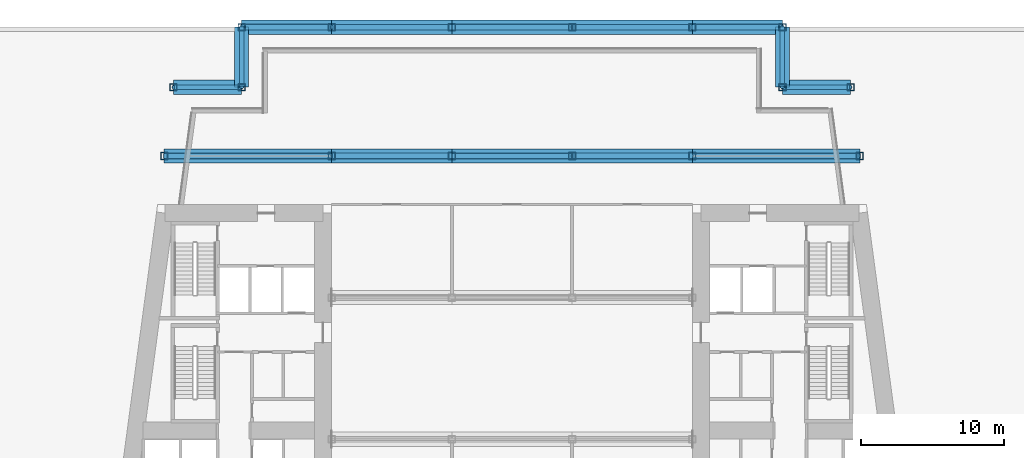
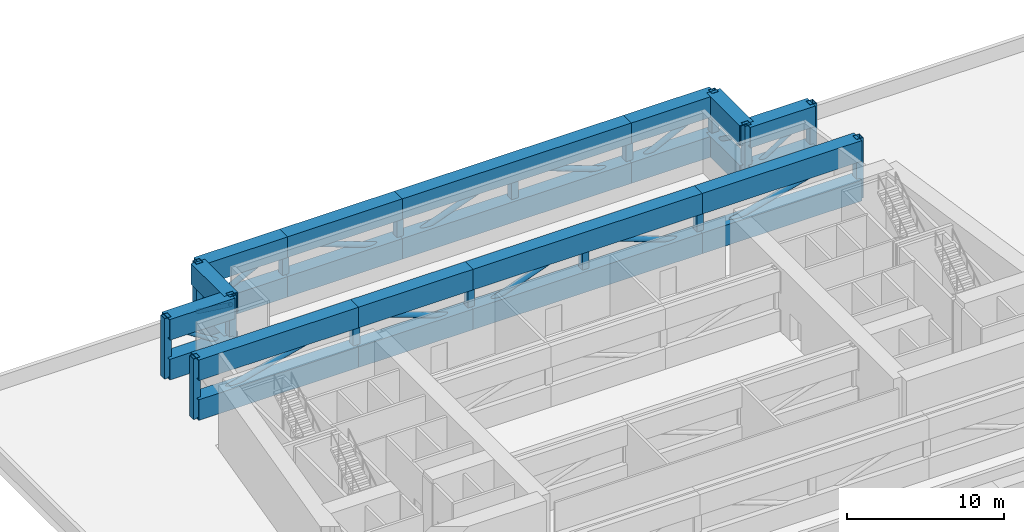
# One storey, part 7 of 26: 54 members.
"""IFC4 building model written with IfcOpenShell, lengths in metres."""

from ifc_helpers import new_model, si_unit, direction, frame, origin, origin_2d, place, context, subcontext, project, spatial, hollow_rectangle, hollow_circle, extrude, material, material_profile, profile_set, type_object, element, save


model = new_model("IFC4")

# Units and contexts
model_context = context("Model", 3, precision=1e-05, world=origin(), true_north=direction((0.0, 1.0)))
body_context = subcontext(model_context, "Body", "Model", "MODEL_VIEW")
ifc_project = project(units=[si_unit("LENGTHUNIT", "METRE"), si_unit("AREAUNIT", "SQUARE_METRE"), si_unit("VOLUMEUNIT", "CUBIC_METRE"), si_unit("PLANEANGLEUNIT", "RADIAN"), si_unit("MASSUNIT", "GRAM", prefix="KILO")], contexts=[model_context])

# Site, building, storey
site_placement = place(None, origin())
site = spatial("IfcSite", under=ifc_project, at=site_placement, CompositionType="ELEMENT")
building_placement = place(site_placement, origin())
building = spatial("IfcBuilding", under=site, at=building_placement, Name="Candeia Pilgrim Tower and Theatre", CompositionType="ELEMENT")
storey_placement = place(building_placement, frame((0.0, 0.0, 34.0)))
storey = spatial("IfcBuildingStorey", under=building, at=storey_placement, Name="L05", CompositionType="ELEMENT", Elevation=34.0)

# Members
ifc_material = material(Name="Structural steel ASTM A572 Grade 50", Category="steel")
ifc_material_profile_1 = material_profile(ifc_material, hollow_rectangle(XDim=1.0, YDim=1.60009765625, WallThickness=0.06005859375, at=origin_2d()))
ifc_profile_set_1 = profile_set([ifc_material_profile_1], Name="Structural steel ASTM A572 Grade 50")
member_type_1 = type_object("IfcMemberType", Name="BOX 1600x1000x60 chord", PredefinedType="CHORD", material=ifc_profile_set_1)
for number, where, z_axis, x_axis, name in (
    (1, (89.08837890625, 135.800048828125, 0.800048828125), (1.0, 0.0, 0.0), (0.0, 1.0, 0.0), "Transfer truss bottom chord TTE"),
    (2, (89.08837890625, 135.800048828125, 3.8798828125), (1.0, 0.0, 0.0), (0.0, 1.0, 0.0), "Transfer truss top chord TTE"),
):
    element("IfcMember", number, at=place(storey_placement, frame(where, z_axis=z_axis, x_axis=x_axis)), inside=storey, type_object=member_type_1, Name=name, PredefinedType="CHORD", context=body_context, shape_type="SweptSolid", body=[
        extrude(hollow_rectangle(XDim=1.0, YDim=1.60009765625, WallThickness=0.06005859375, at=origin_2d()), origin(), (0.0, 0.0, 1.0), 11.711669921875),
    ])
for number, where, z_axis, x_axis, name in (
    (3, (100.800048828125, 135.800048828125, 0.800048828125), (1.0, 0.0, 0.0), (0.0, 1.0, 0.0), "Transfer truss bottom chord TTE"),
    (4, (100.800048828125, 135.800048828125, 3.8798828125), (1.0, 0.0, 0.0), (0.0, 1.0, 0.0), "Transfer truss top chord TTE"),
):
    element("IfcMember", number, at=place(storey_placement, frame(where, z_axis=z_axis, x_axis=x_axis)), inside=storey, type_object=member_type_1, Name=name, PredefinedType="CHORD", context=body_context, shape_type="SweptSolid", body=[
        extrude(hollow_rectangle(XDim=1.0, YDim=1.60009765625, WallThickness=0.06005859375, at=origin_2d()), origin(), (0.0, 0.0, 1.0), 8.39990234375),
    ])
for number, where, z_axis, x_axis, name in (
    (5, (109.199951171875, 135.800048828125, 0.800048828125), (1.0, 0.0, 0.0), (0.0, 1.0, 0.0), "Transfer truss bottom chord TTE"),
    (6, (109.199951171875, 135.800048828125, 3.8798828125), (1.0, 0.0, 0.0), (0.0, 1.0, 0.0), "Transfer truss top chord TTE"),
):
    element("IfcMember", number, at=place(storey_placement, frame(where, z_axis=z_axis, x_axis=x_axis)), inside=storey, type_object=member_type_1, Name=name, PredefinedType="CHORD", context=body_context, shape_type="SweptSolid", body=[
        extrude(hollow_rectangle(XDim=1.0, YDim=1.60009765625, WallThickness=0.06005859375, at=origin_2d()), origin(), (0.0, 0.0, 1.0), 16.800048828125),
    ])
for number, where, z_axis, x_axis, name in (
    (7, (126.0, 135.800048828125, 0.800048828125), (1.0, 0.0, 0.0), (0.0, 1.0, 0.0), "Transfer truss bottom chord TTE"),
    (8, (126.0, 135.800048828125, 3.8798828125), (1.0, 0.0, 0.0), (0.0, 1.0, 0.0), "Transfer truss top chord TTE"),
):
    element("IfcMember", number, at=place(storey_placement, frame(where, z_axis=z_axis, x_axis=x_axis)), inside=storey, type_object=member_type_1, Name=name, PredefinedType="CHORD", context=body_context, shape_type="SweptSolid", body=[
        extrude(hollow_rectangle(XDim=1.0, YDim=1.60009765625, WallThickness=0.06005859375, at=origin_2d()), origin(), (0.0, 0.0, 1.0), 11.71142578125),
    ])
for number, where, z_axis, x_axis, name in (
    (9, (94.5, 144.800048828125, 0.800048828125), (1.0, 0.0, 0.0), (0.0, 1.0, 0.0), "Transfer truss bottom chord TTF"),
    (10, (94.5, 144.800048828125, 3.8798828125), (1.0, 0.0, 0.0), (0.0, 1.0, 0.0), "Transfer truss top chord TTF"),
):
    element("IfcMember", number, at=place(storey_placement, frame(where, z_axis=z_axis, x_axis=x_axis)), inside=storey, type_object=member_type_1, Name=name, PredefinedType="CHORD", context=body_context, shape_type="SweptSolid", body=[
        extrude(hollow_rectangle(XDim=1.0, YDim=1.60009765625, WallThickness=0.06005859375, at=origin_2d()), origin(), (0.0, 0.0, 1.0), 6.300048828125),
    ])
for number, where, z_axis, x_axis, name in (
    (11, (100.800048828125, 144.800048828125, 0.800048828125), (1.0, 0.0, 0.0), (0.0, 1.0, 0.0), "Transfer truss bottom chord TTF"),
    (12, (100.800048828125, 144.800048828125, 3.8798828125), (1.0, 0.0, 0.0), (0.0, 1.0, 0.0), "Transfer truss top chord TTF"),
):
    element("IfcMember", number, at=place(storey_placement, frame(where, z_axis=z_axis, x_axis=x_axis)), inside=storey, type_object=member_type_1, Name=name, PredefinedType="CHORD", context=body_context, shape_type="SweptSolid", body=[
        extrude(hollow_rectangle(XDim=1.0, YDim=1.60009765625, WallThickness=0.06005859375, at=origin_2d()), origin(), (0.0, 0.0, 1.0), 8.39990234375),
    ])
for number, where, z_axis, x_axis, name in (
    (13, (109.199951171875, 144.800048828125, 0.800048828125), (1.0, 0.0, 0.0), (0.0, 1.0, 0.0), "Transfer truss bottom chord TTF"),
    (14, (109.199951171875, 144.800048828125, 3.8798828125), (1.0, 0.0, 0.0), (0.0, 1.0, 0.0), "Transfer truss top chord TTF"),
):
    element("IfcMember", number, at=place(storey_placement, frame(where, z_axis=z_axis, x_axis=x_axis)), inside=storey, type_object=member_type_1, Name=name, PredefinedType="CHORD", context=body_context, shape_type="SweptSolid", body=[
        extrude(hollow_rectangle(XDim=1.0, YDim=1.60009765625, WallThickness=0.06005859375, at=origin_2d()), origin(), (0.0, 0.0, 1.0), 16.800048828125),
    ])
for number, where, z_axis, x_axis, name in (
    (15, (126.0, 144.800048828125, 0.800048828125), (1.0, 0.0, 0.0), (0.0, 1.0, 0.0), "Transfer truss bottom chord TTF"),
    (16, (126.0, 144.800048828125, 3.8798828125), (1.0, 0.0, 0.0), (0.0, 1.0, 0.0), "Transfer truss top chord TTF"),
):
    element("IfcMember", number, at=place(storey_placement, frame(where, z_axis=z_axis, x_axis=x_axis)), inside=storey, type_object=member_type_1, Name=name, PredefinedType="CHORD", context=body_context, shape_type="SweptSolid", body=[
        extrude(hollow_rectangle(XDim=1.0, YDim=1.60009765625, WallThickness=0.06005859375, at=origin_2d()), origin(), (0.0, 0.0, 1.0), 6.300048828125),
    ])
for number, where, z_axis, x_axis, name in (
    (17, (94.5, 144.800048828125, 0.800048828125), (0.0, -1.0, 0.0), (1.0, 0.0, 0.0), "Transfer truss stub bottom chord TTNNW"),
    (18, (94.5, 144.800048828125, 3.8798828125), (0.0, -1.0, 0.0), (1.0, 0.0, 0.0), "Transfer truss stub top chord TTNNW"),
    (19, (132.300048828125, 144.800048828125, 0.800048828125), (0.0, -1.0, 0.0), (1.0, 0.0, 0.0), "Transfer truss stub bottom chord TTNNE"),
    (20, (132.300048828125, 144.800048828125, 3.8798828125), (0.0, -1.0, 0.0), (1.0, 0.0, 0.0), "Transfer truss stub top chord TTNNE"),
):
    element("IfcMember", number, at=place(storey_placement, frame(where, z_axis=z_axis, x_axis=x_axis)), inside=storey, type_object=member_type_1, Name=name, PredefinedType="CHORD", context=body_context, shape_type="SweptSolid", body=[
        extrude(hollow_rectangle(XDim=1.0, YDim=1.60009765625, WallThickness=0.06005859375, at=origin_2d()), origin(), (0.0, 0.0, 1.0), 4.199951171875),
    ])
for number, where, z_axis, x_axis, name in (
    (21, (94.5, 140.60009765625, 0.800048828125), (-1.0, 0.0, 0.0), (0.0, -1.0, 0.0), "Transfer truss stub bottom chord TTLNW"),
    (22, (94.5, 140.60009765625, 3.8798828125), (-1.0, 0.0, 0.0), (0.0, -1.0, 0.0), "Transfer truss stub top chord TTLNW"),
    (23, (132.300048828125, 140.60009765625, 0.800048828125), (1.0, 0.0, 0.0), (0.0, 1.0, 0.0), "Transfer truss stub bottom chord TTLNE"),
    (24, (132.300048828125, 140.60009765625, 3.8798828125), (1.0, 0.0, 0.0), (0.0, 1.0, 0.0), "Transfer truss stub top chord TTLNE"),
):
    element("IfcMember", number, at=place(storey_placement, frame(where, z_axis=z_axis, x_axis=x_axis)), inside=storey, type_object=member_type_1, Name=name, PredefinedType="CHORD", context=body_context, shape_type="SweptSolid", body=[
        extrude(hollow_rectangle(XDim=1.0, YDim=1.60009765625, WallThickness=0.06005859375, at=origin_2d()), origin(), (0.0, 0.0, 1.0), 4.765380859375),
    ])
ifc_material_profile_2 = material_profile(ifc_material, hollow_rectangle(XDim=0.5, YDim=0.5, WallThickness=0.031982421875, at=origin_2d()))
ifc_profile_set_2 = profile_set([ifc_material_profile_2], Name="Structural steel ASTM A572 Grade 50")
member_type_2 = type_object("IfcMemberType", Name="BOX 500x500x32 post", PredefinedType="POST", material=ifc_profile_set_2)
member_1_placement = place(storey_placement, frame((89.08837890625, 135.800048828125, 0.0), z_axis=(0.0, 0.0, 1.0), x_axis=(1.0, 0.0, 0.0)))
element("IfcMember", 25, at=member_1_placement, inside=storey, type_object=member_type_2, Name="Transfer truss post TTE", PredefinedType="POST", context=body_context, shape_type="SweptSolid", body=[
    extrude(hollow_rectangle(XDim=0.5, YDim=0.5, WallThickness=0.031982421875, at=origin_2d()), origin(), (0.0, 0.0, 1.0), 4.679931640625),
])
for number, where, z_axis, x_axis, name in (
    (26, (100.800048828125, 135.800048828125, 1.47998046875), (0.0, 0.0, 1.0), (1.0, 0.0, 0.0), "Transfer truss post TTE"),
    (27, (109.199951171875, 135.800048828125, 1.47998046875), (0.0, 0.0, 1.0), (1.0, 0.0, 0.0), "Transfer truss post TTE"),
    (28, (117.60009765625, 135.800048828125, 1.47998046875), (0.0, 0.0, 1.0), (1.0, 0.0, 0.0), "Transfer truss post TTE"),
    (29, (126.0, 135.800048828125, 1.47998046875), (0.0, 0.0, 1.0), (1.0, 0.0, 0.0), "Transfer truss post TTE"),
):
    element("IfcMember", number, at=place(storey_placement, frame(where, z_axis=z_axis, x_axis=x_axis)), inside=storey, type_object=member_type_2, Name=name, PredefinedType="POST", context=body_context, shape_type="SweptSolid", body=[
        extrude(hollow_rectangle(XDim=0.5, YDim=0.5, WallThickness=0.031982421875, at=origin_2d()), origin(), (0.0, 0.0, 1.0), 1.719970703125),
    ])
for number, where, z_axis, x_axis, name in (
    (30, (137.71142578125, 135.800048828125, 0.0), (0.0, 0.0, 1.0), (1.0, 0.0, 0.0), "Transfer truss post TTE"),
    (31, (94.5, 144.800048828125, 0.0), (0.0, 0.0, 1.0), (1.0, 0.0, 0.0), "Transfer truss post TTF"),
):
    element("IfcMember", number, at=place(storey_placement, frame(where, z_axis=z_axis, x_axis=x_axis)), inside=storey, type_object=member_type_2, Name=name, PredefinedType="POST", context=body_context, shape_type="SweptSolid", body=[
        extrude(hollow_rectangle(XDim=0.5, YDim=0.5, WallThickness=0.031982421875, at=origin_2d()), origin(), (0.0, 0.0, 1.0), 4.679931640625),
    ])
for number, where, z_axis, x_axis, name in (
    (32, (100.800048828125, 144.800048828125, 1.47998046875), (0.0, 0.0, 1.0), (1.0, 0.0, 0.0), "Transfer truss post TTF"),
    (33, (109.199951171875, 144.800048828125, 1.47998046875), (0.0, 0.0, 1.0), (1.0, 0.0, 0.0), "Transfer truss post TTF"),
    (34, (117.60009765625, 144.800048828125, 1.47998046875), (0.0, 0.0, 1.0), (1.0, 0.0, 0.0), "Transfer truss post TTF"),
    (35, (126.0, 144.800048828125, 1.47998046875), (0.0, 0.0, 1.0), (1.0, 0.0, 0.0), "Transfer truss post TTF"),
):
    element("IfcMember", number, at=place(storey_placement, frame(where, z_axis=z_axis, x_axis=x_axis)), inside=storey, type_object=member_type_2, Name=name, PredefinedType="POST", context=body_context, shape_type="SweptSolid", body=[
        extrude(hollow_rectangle(XDim=0.5, YDim=0.5, WallThickness=0.031982421875, at=origin_2d()), origin(), (0.0, 0.0, 1.0), 1.719970703125),
    ])
for number, where, z_axis, x_axis, name in (
    (36, (132.300048828125, 144.800048828125, 0.0), (0.0, 0.0, 1.0), (1.0, 0.0, 0.0), "Transfer truss post TTF"),
    (37, (94.5, 140.60009765625, 0.0), (0.0, 0.0, 1.0), (1.0, 0.0, 0.0), "Transfer truss stub post TTNNW"),
    (38, (132.300048828125, 140.60009765625, 0.0), (0.0, 0.0, 1.0), (1.0, 0.0, 0.0), "Transfer truss stub post TTNNE"),
    (39, (89.734619140625, 140.60009765625, 0.0), (0.0, 0.0, 1.0), (1.0, 0.0, 0.0), "Transfer truss stub post TTLNW"),
    (40, (137.0654296875, 140.60009765625, 0.0), (0.0, 0.0, 1.0), (1.0, 0.0, 0.0), "Transfer truss stub post TTLNE"),
):
    element("IfcMember", number, at=place(storey_placement, frame(where, z_axis=z_axis, x_axis=x_axis)), inside=storey, type_object=member_type_2, Name=name, PredefinedType="POST", context=body_context, shape_type="SweptSolid", body=[
        extrude(hollow_rectangle(XDim=0.5, YDim=0.5, WallThickness=0.031982421875, at=origin_2d()), origin(), (0.0, 0.0, 1.0), 4.679931640625),
    ])
ifc_material_profile_3 = material_profile(ifc_material, hollow_circle(Radius=0.161865234375, WallThickness=0.012451171875, at=origin_2d()))
ifc_profile_set_3 = profile_set([ifc_material_profile_3], Name="Structural steel ASTM A572 Grade 50")
member_type_3 = type_object("IfcMemberType", Name="CHS 324x12.5 brace", PredefinedType="BRACE", material=ifc_profile_set_3)
for number, where, z_axis, x_axis, name in (
    (41, (94.5, 144.800048828125, 0.800048828125), (0.0, -0.806416918046, 0.591347405752), (1.0, 0.0, 0.0), "Transfer truss stub diagonal TTNNW"),
    (42, (132.300048828125, 144.800048828125, 0.800048828125), (0.0, -0.806416918046, 0.591347405752), (1.0, 0.0, 0.0), "Transfer truss stub diagonal TTNNE"),
):
    element("IfcMember", number, at=place(storey_placement, frame(where, z_axis=z_axis, x_axis=x_axis)), inside=storey, type_object=member_type_3, Name=name, PredefinedType="BRACE", context=body_context, shape_type="SweptSolid", body=[
        extrude(hollow_circle(Radius=0.161865234375, WallThickness=0.012451171875, at=origin_2d()), origin(), (0.0, 0.0, 1.0), 5.208251953125),
    ])
for number, where, z_axis, x_axis, name in (
    (43, (94.5, 140.60009765625, 0.800048828125), (-0.839863254837, 0.0, 0.542798040872), (0.0, -1.0, 0.0), "Transfer truss stub diagonal TTLNW"),
    (44, (132.300048828125, 140.60009765625, 0.800048828125), (0.839863254837, 0.0, 0.542798040872), (0.0, 1.0, 0.0), "Transfer truss stub diagonal TTLNE"),
):
    element("IfcMember", number, at=place(storey_placement, frame(where, z_axis=z_axis, x_axis=x_axis)), inside=storey, type_object=member_type_3, Name=name, PredefinedType="BRACE", context=body_context, shape_type="SweptSolid", body=[
        extrude(hollow_circle(Radius=0.161865234375, WallThickness=0.012451171875, at=origin_2d()), origin(), (0.0, 0.0, 1.0), 5.674072265625),
    ])
ifc_material_profile_4 = material_profile(ifc_material, hollow_circle(Radius=0.203125, WallThickness=0.01611328125, at=origin_2d()))
ifc_profile_set_4 = profile_set([ifc_material_profile_4], Name="Structural steel ASTM A572 Grade 50")
member_type_4 = type_object("IfcMemberType", Name="CHS 406x16 brace", PredefinedType="BRACE", material=ifc_profile_set_4)
member_2_placement = place(storey_placement, frame((89.08837890625, 135.800048828125, 0.800048828125), z_axis=(0.967118917412, 0.0, 0.254324594925), x_axis=(0.0, 1.0, 0.0)))
element("IfcMember", 45, at=member_2_placement, inside=storey, type_object=member_type_4, Name="Transfer truss diagonal TTE", PredefinedType="BRACE", context=body_context, shape_type="SweptSolid", body=[
    extrude(hollow_circle(Radius=0.203125, WallThickness=0.01611328125, at=origin_2d()), origin(), (0.0, 0.0, 1.0), 12.10986328125),
])
member_3_placement = place(storey_placement, frame((109.199951171875, 135.800048828125, 0.800048828125), z_axis=(-0.938881019755, 0.0, 0.344241820154), x_axis=(0.0, -1.0, 0.0)))
element("IfcMember", 46, at=member_3_placement, inside=storey, type_object=member_type_4, Name="Transfer truss diagonal TTE", PredefinedType="BRACE", context=body_context, shape_type="SweptSolid", body=[
    extrude(hollow_circle(Radius=0.203125, WallThickness=0.01611328125, at=origin_2d()), origin(), (0.0, 0.0, 1.0), 8.94677734375),
])
member_4_placement = place(storey_placement, frame((109.199951171875, 135.800048828125, 0.800048828125), z_axis=(0.93888425336, 0.0, 0.344233000731), x_axis=(0.0, 1.0, 0.0)))
element("IfcMember", 47, at=member_4_placement, inside=storey, type_object=member_type_4, Name="Transfer truss diagonal TTE", PredefinedType="BRACE", context=body_context, shape_type="SweptSolid", body=[
    extrude(hollow_circle(Radius=0.203125, WallThickness=0.01611328125, at=origin_2d()), origin(), (0.0, 0.0, 1.0), 8.947021484375),
])
member_5_placement = place(storey_placement, frame((126.0, 135.800048828125, 0.800048828125), z_axis=(-0.938881019755, 0.0, 0.344241820154), x_axis=(0.0, -1.0, 0.0)))
element("IfcMember", 48, at=member_5_placement, inside=storey, type_object=member_type_4, Name="Transfer truss diagonal TTE", PredefinedType="BRACE", context=body_context, shape_type="SweptSolid", body=[
    extrude(hollow_circle(Radius=0.203125, WallThickness=0.01611328125, at=origin_2d()), origin(), (0.0, 0.0, 1.0), 8.94677734375),
])
member_6_placement = place(storey_placement, frame((126.0, 135.800048828125, 0.800048828125), z_axis=(0.967117613373, 0.0, 0.254329553736), x_axis=(0.0, 1.0, 0.0)))
element("IfcMember", 49, at=member_6_placement, inside=storey, type_object=member_type_4, Name="Transfer truss diagonal TTE", PredefinedType="BRACE", context=body_context, shape_type="SweptSolid", body=[
    extrude(hollow_circle(Radius=0.203125, WallThickness=0.01611328125, at=origin_2d()), origin(), (0.0, 0.0, 1.0), 12.109619140625),
])
member_7_placement = place(storey_placement, frame((94.5, 144.800048828125, 0.800048828125), z_axis=(0.898395045137, 0.0, 0.439188277249), x_axis=(0.0, 1.0, 0.0)))
element("IfcMember", 50, at=member_7_placement, inside=storey, type_object=member_type_4, Name="Transfer truss diagonal TTF", PredefinedType="BRACE", context=body_context, shape_type="SweptSolid", body=[
    extrude(hollow_circle(Radius=0.203125, WallThickness=0.01611328125, at=origin_2d()), origin(), (0.0, 0.0, 1.0), 7.012451171875),
])
member_8_placement = place(storey_placement, frame((109.199951171875, 144.800048828125, 0.800048828125), z_axis=(-0.938881019755, 0.0, 0.344241820154), x_axis=(0.0, -1.0, 0.0)))
element("IfcMember", 51, at=member_8_placement, inside=storey, type_object=member_type_4, Name="Transfer truss diagonal TTF", PredefinedType="BRACE", context=body_context, shape_type="SweptSolid", body=[
    extrude(hollow_circle(Radius=0.203125, WallThickness=0.01611328125, at=origin_2d()), origin(), (0.0, 0.0, 1.0), 8.94677734375),
])
member_9_placement = place(storey_placement, frame((109.199951171875, 144.800048828125, 0.800048828125), z_axis=(0.93888425336, 0.0, 0.344233000731), x_axis=(0.0, 1.0, 0.0)))
element("IfcMember", 52, at=member_9_placement, inside=storey, type_object=member_type_4, Name="Transfer truss diagonal TTF", PredefinedType="BRACE", context=body_context, shape_type="SweptSolid", body=[
    extrude(hollow_circle(Radius=0.203125, WallThickness=0.01611328125, at=origin_2d()), origin(), (0.0, 0.0, 1.0), 8.947021484375),
])
member_10_placement = place(storey_placement, frame((126.0, 144.800048828125, 0.800048828125), z_axis=(-0.938881019755, 0.0, 0.344241820154), x_axis=(0.0, -1.0, 0.0)))
element("IfcMember", 53, at=member_10_placement, inside=storey, type_object=member_type_4, Name="Transfer truss diagonal TTF", PredefinedType="BRACE", context=body_context, shape_type="SweptSolid", body=[
    extrude(hollow_circle(Radius=0.203125, WallThickness=0.01611328125, at=origin_2d()), origin(), (0.0, 0.0, 1.0), 8.94677734375),
])
member_11_placement = place(storey_placement, frame((126.0, 144.800048828125, 0.800048828125), z_axis=(0.898395045137, 0.0, 0.439188277249), x_axis=(0.0, 1.0, 0.0)))
element("IfcMember", 54, at=member_11_placement, inside=storey, type_object=member_type_4, Name="Transfer truss diagonal TTF", PredefinedType="BRACE", context=body_context, shape_type="SweptSolid", body=[
    extrude(hollow_circle(Radius=0.203125, WallThickness=0.01611328125, at=origin_2d()), origin(), (0.0, 0.0, 1.0), 7.012451171875),
])

save(model, "model.ifc")
